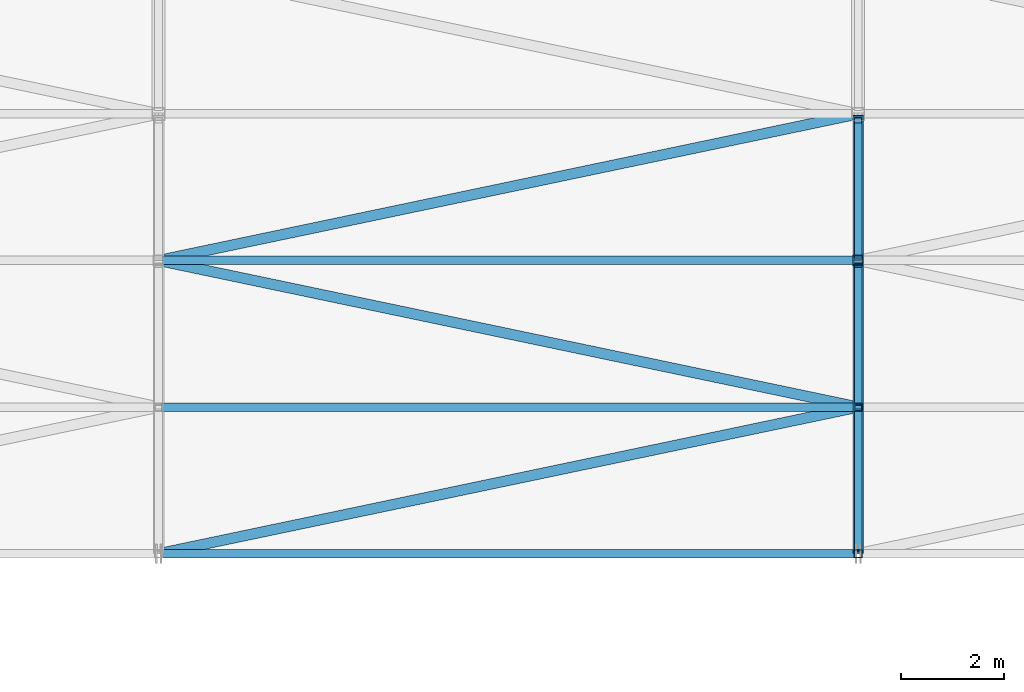
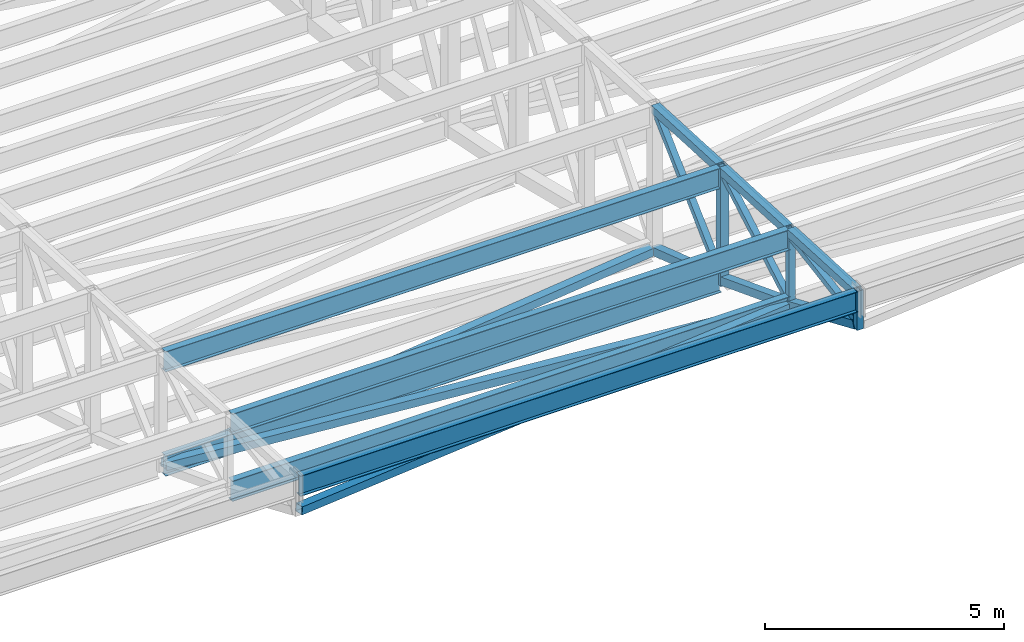
# One storey, part 79 of 278: 11 members, 9 beams.
"""IFC4 building model written with IfcOpenShell, lengths in metres."""

from ifc_helpers import new_model, si_unit, direction, frame, origin, origin_2d, place, context, subcontext, project, spatial, hollow_rectangle, i_section, extrude, material, material_profile, profile_set, type_object, element, save


model = new_model("IFC4")

# Units and contexts
model_context = context("Model", 3, precision=1e-05, world=origin(), true_north=direction((0.0, 1.0)))
body_context = subcontext(model_context, "Body", "Model", "MODEL_VIEW")
ifc_project = project(units=[si_unit("LENGTHUNIT", "METRE"), si_unit("AREAUNIT", "SQUARE_METRE"), si_unit("VOLUMEUNIT", "CUBIC_METRE"), si_unit("PLANEANGLEUNIT", "RADIAN"), si_unit("MASSUNIT", "GRAM", prefix="KILO")], contexts=[model_context])

# Site, building, storey
site_placement = place(None, origin())
site = spatial("IfcSite", under=ifc_project, at=site_placement, CompositionType="ELEMENT")
building_placement = place(site_placement, origin())
building = spatial("IfcBuilding", under=site, at=building_placement, Name="Ogive Plaza Stadium", CompositionType="ELEMENT")
storey_placement = place(building_placement, frame((0.0, 0.0, 29.0)))
storey = spatial("IfcBuildingStorey", under=building, at=storey_placement, Name="Roof", CompositionType="ELEMENT", Elevation=29.0)

# Members
ifc_material_1 = material(Name="Steel ASTM A500 Grade C", Category="steel")
ifc_material_profile_1 = material_profile(ifc_material_1, hollow_rectangle(XDim=0.203125, YDim=0.203125, WallThickness=0.0087890625, at=origin_2d()), Name="HSS8X8X3/8")
ifc_profile_set_1 = profile_set([ifc_material_profile_1], Name="Steel ASTM A500 Grade C")
member_type_1 = type_object("IfcMemberType", Name="Roof plan brace HSS8X8X3/8", PredefinedType="BRACE", material=ifc_profile_set_1)
member_1_placement = place(storey_placement, frame((-6.732421875, 64.01416015625, 6.5205078125), z_axis=(0.974984276103, 0.20432383709, -0.087506748018), x_axis=(-0.205110656584, 0.978738789747, 0.0)))
element("IfcMember", 1, at=member_1_placement, inside=storey, type_object=member_type_1, Name="ROOF BRACE B34 1", PredefinedType="BRACE", context=body_context, shape_type="SweptSolid", body=[
    extrude(hollow_rectangle(XDim=0.203125, YDim=0.203125, WallThickness=0.0087890625, at=origin_2d()), origin(), (0.0, 0.0, 1.0), 13.810302734375),
])
member_2_placement = place(storey_placement, frame((6.732421875, 66.8642578125, 5.30029296875), z_axis=(-0.9757347182, 0.204459743759, -0.078345216074), x_axis=(-0.205090131406, -0.978743090908, 0.0)))
element("IfcMember", 2, at=member_2_placement, inside=storey, type_object=member_type_1, Name="ROOF BRACE B34 2", PredefinedType="BRACE", context=body_context, shape_type="SweptSolid", body=[
    extrude(hollow_rectangle(XDim=0.203125, YDim=0.203125, WallThickness=0.0087890625, at=origin_2d()), origin(), (0.0, 0.0, 1.0), 13.773681640625),
])
member_3_placement = place(storey_placement, frame((-6.70703125, 69.719482421875, 4.207275390625), z_axis=(0.976516142556, 0.204637573992, -0.067377196717), x_axis=(-0.205103656726, 0.978740256655, 0.0)))
element("IfcMember", 3, at=member_3_placement, inside=storey, type_object=member_type_1, Name="ROOF BRACE B34 3", PredefinedType="BRACE", context=body_context, shape_type="SweptSolid", body=[
    extrude(hollow_rectangle(XDim=0.203125, YDim=0.203125, WallThickness=0.0087890625, at=origin_2d()), origin(), (0.0, 0.0, 1.0), 13.736572265625),
])
ifc_material_2 = material(Name="Steel ASTM A992 Grade 50", Category="steel")
ifc_material_profile_2 = material_profile(ifc_material_2, i_section(OverallWidth=0.1650390625, OverallDepth=0.524658203125, WebThickness=0.0087890625, FlangeThickness=0.011474609375, at=origin_2d()), Name="W21X44")
ifc_profile_set_2 = profile_set([ifc_material_profile_2], Name="Steel ASTM A992 Grade 50")
member_type_2 = type_object("IfcMemberType", Name="Roof plan strut W21X44", PredefinedType="STRUT", material=ifc_profile_set_2)
member_4_placement = place(storey_placement, frame((-6.75390625, 66.85009765625, 5.305908203125), z_axis=(1.0, 0.0, 0.0), x_axis=(0.0, 1.0, 0.0)))
element("IfcMember", 4, at=member_4_placement, inside=storey, type_object=member_type_2, Name="ROOF STRUT B34 1", PredefinedType="STRUT", context=body_context, shape_type="SweptSolid", body=[
    extrude(i_section(OverallWidth=0.1650390625, OverallDepth=0.524658203125, WebThickness=0.0087890625, FlangeThickness=0.011474609375, at=origin_2d()), origin(), (0.0, 0.0, 1.0), 13.5078125),
])
member_5_placement = place(storey_placement, frame((-6.728515625, 69.699951171875, 4.213623046875), z_axis=(1.0, 0.0, 0.0), x_axis=(0.0, 1.0, 0.0)))
element("IfcMember", 5, at=member_5_placement, inside=storey, type_object=member_type_2, Name="ROOF STRUT B34 2", PredefinedType="STRUT", context=body_context, shape_type="SweptSolid", body=[
    extrude(i_section(OverallWidth=0.1650390625, OverallDepth=0.524658203125, WebThickness=0.0087890625, FlangeThickness=0.011474609375, at=origin_2d()), origin(), (0.0, 0.0, 1.0), 13.45703125),
])
ifc_material_3 = material(Name="Steel ASTM A992 Grade 50", Category="steel")
ifc_material_profile_3 = material_profile(ifc_material_3, i_section(OverallWidth=0.1650390625, OverallDepth=0.524658203125, WebThickness=0.0087890625, FlangeThickness=0.011474609375, at=origin_2d()), Name="W21X44")
ifc_profile_set_3 = profile_set([ifc_material_profile_3], Name="Steel ASTM A992 Grade 50")
member_type_3 = type_object("IfcMemberType", Name="Roof purlin W21X44", PredefinedType="PURLIN", material=ifc_profile_set_3)
member_6_placement = place(storey_placement, frame((-6.75390625, 66.85009765625, 7.02001953125), z_axis=(1.0, 0.0, 0.0), x_axis=(0.0, 1.0, 0.0)))
element("IfcMember", 6, at=member_6_placement, inside=storey, type_object=member_type_3, Name="ROOF PURLIN B34 1", PredefinedType="PURLIN", context=body_context, shape_type="SweptSolid", body=[
    extrude(i_section(OverallWidth=0.1650390625, OverallDepth=0.524658203125, WebThickness=0.0087890625, FlangeThickness=0.011474609375, at=origin_2d()), origin(), (0.0, 0.0, 1.0), 13.5078125),
])
member_7_placement = place(storey_placement, frame((-6.728515625, 69.699951171875, 6.877685546875), z_axis=(1.0, 0.0, 0.0), x_axis=(0.0, 1.0, 0.0)))
element("IfcMember", 7, at=member_7_placement, inside=storey, type_object=member_type_3, Name="ROOF PURLIN B34 2", PredefinedType="PURLIN", context=body_context, shape_type="SweptSolid", body=[
    extrude(i_section(OverallWidth=0.1650390625, OverallDepth=0.524658203125, WebThickness=0.0087890625, FlangeThickness=0.011474609375, at=origin_2d()), origin(), (0.0, 0.0, 1.0), 13.45703125),
])
ifc_material_4 = material(Name="Steel ASTM A992 Grade 50", Category="steel")
ifc_material_profile_4 = material_profile(ifc_material_4, i_section(OverallWidth=0.1650390625, OverallDepth=0.524658203125, WebThickness=0.0087890625, FlangeThickness=0.011474609375, at=origin_2d()), Name="W21X44")
ifc_profile_set_4 = profile_set([ifc_material_profile_4], Name="Steel ASTM A992 Grade 50")
member_type_4 = type_object("IfcMemberType", Name="Roof tip ring beam W21X44", PredefinedType="MEMBER", material=ifc_profile_set_4)
member_8_placement = place(storey_placement, frame((-6.75390625, 64.0, 7.16259765625), z_axis=(1.0, 0.0, 0.0), x_axis=(0.0, 1.0, 0.0)))
element("IfcMember", 8, at=member_8_placement, inside=storey, type_object=member_type_4, Name="RING BEAM B34", PredefinedType="MEMBER", context=body_context, shape_type="SweptSolid", body=[
    extrude(i_section(OverallWidth=0.1650390625, OverallDepth=0.524658203125, WebThickness=0.0087890625, FlangeThickness=0.011474609375, at=origin_2d()), origin(), (0.0, 0.0, 1.0), 13.5078125),
])

# Beams
ifc_material_5 = material(Name="Steel ASTM A500 Grade C", Category="steel")
ifc_material_profile_5 = material_profile(ifc_material_5, hollow_rectangle(XDim=0.203125, YDim=0.203125, WallThickness=0.01171875, at=origin_2d()), Name="HSS8X8X1/2")
ifc_profile_set_5 = profile_set([ifc_material_profile_5], Name="Steel ASTM A500 Grade C")
beam_type_1 = type_object("IfcBeamType", Name="Roof truss bottom chord HSS8X8X1/2", PredefinedType="BEAM", material=ifc_profile_set_5)
beam_1_placement = place(storey_placement, frame((6.800048828125, 64.0400390625, 6.518310546875), z_axis=(0.0, 0.919215459426, -0.393754922702), x_axis=(-1.0, 0.0, 0.0)))
element("IfcBeam", 9, at=beam_1_placement, inside=storey, type_object=beam_type_1, Name="ROOF TRUSS T35 BOTTOM CHORD 1", PredefinedType="BEAM", context=body_context, shape_type="SweptSolid", body=[
    extrude(hollow_rectangle(XDim=0.203125, YDim=0.203125, WallThickness=0.01171875, at=origin_2d()), origin(), (0.0, 0.0, 1.0), 3.04736328125),
])
beam_2_placement = place(storey_placement, frame((6.800048828125, 66.886474609375, 5.299072265625), z_axis=(0.0, 0.933780874892, -0.357845326484), x_axis=(-1.0, 0.0, 0.0)))
element("IfcBeam", 10, at=beam_2_placement, inside=storey, type_object=beam_type_1, Name="ROOF TRUSS T35 BOTTOM CHORD 2", PredefinedType="BEAM", context=body_context, shape_type="SweptSolid", body=[
    extrude(hollow_rectangle(XDim=0.203125, YDim=0.203125, WallThickness=0.01171875, at=origin_2d()), origin(), (0.0, 0.0, 1.0), 2.97314453125),
])
beam_3_placement = place(storey_placement, frame((6.800048828125, 69.74072265625, 4.20556640625), z_axis=(0.0, 0.947299736415, -0.320348574817), x_axis=(-1.0, 0.0, 0.0)))
element("IfcBeam", 11, at=beam_3_placement, inside=storey, type_object=beam_type_1, Name="ROOF TRUSS T35 BOTTOM CHORD 3", PredefinedType="BEAM", context=body_context, shape_type="SweptSolid", body=[
    extrude(hollow_rectangle(XDim=0.203125, YDim=0.203125, WallThickness=0.01171875, at=origin_2d()), origin(), (0.0, 0.0, 1.0), 2.912841796875),
])

# Members
ifc_material_6 = material(Name="Steel ASTM A500 Grade C", Category="steel")
ifc_material_profile_6 = material_profile(ifc_material_6, hollow_rectangle(XDim=0.15234375, YDim=0.15234375, WallThickness=0.005859375, at=origin_2d()), Name="HSS6X6X1/4")
ifc_profile_set_6 = profile_set([ifc_material_profile_6], Name="Steel ASTM A500 Grade C")
member_type_5 = type_object("IfcMemberType", Name="Roof truss diagonal HSS6X6X1/4", PredefinedType="BRACE", material=ifc_profile_set_6)
member_9_placement = place(storey_placement, frame((6.800048828125, 64.076171875, 6.628173828125), z_axis=(0.0, 0.986299671123, 0.164963507307), x_axis=(-1.0, 0.0, 0.0)))
element("IfcMember", 12, at=member_9_placement, inside=storey, type_object=member_type_5, Name="ROOF TRUSS T35 DIAGONAL 1", PredefinedType="BRACE", context=body_context, shape_type="SweptSolid", body=[
    extrude(hollow_rectangle(XDim=0.15234375, YDim=0.15234375, WallThickness=0.005859375, at=origin_2d()), origin(), (0.0, 0.0, 1.0), 2.73486328125),
])
member_10_placement = place(storey_placement, frame((6.800048828125, 66.92626953125, 5.407470703125), z_axis=(0.0, 0.8679111184, 0.496719529069), x_axis=(-1.0, 0.0, 0.0)))
element("IfcMember", 13, at=member_10_placement, inside=storey, type_object=member_type_5, Name="ROOF TRUSS T35 DIAGONAL 2", PredefinedType="BRACE", context=body_context, shape_type="SweptSolid", body=[
    extrude(hollow_rectangle(XDim=0.15234375, YDim=0.15234375, WallThickness=0.005859375, at=origin_2d()), origin(), (0.0, 0.0, 1.0), 3.078857421875),
])
ifc_material_7 = material(Name="Steel ASTM A500 Grade C", Category="steel")
ifc_material_profile_7 = material_profile(ifc_material_7, hollow_rectangle(XDim=0.15234375, YDim=0.15234375, WallThickness=0.0087890625, at=origin_2d()), Name="HSS6X6X3/8")
ifc_profile_set_7 = profile_set([ifc_material_profile_7], Name="Steel ASTM A500 Grade C")
member_type_6 = type_object("IfcMemberType", Name="Roof truss diagonal HSS6X6X3/8", PredefinedType="BRACE", material=ifc_profile_set_7)
member_11_placement = place(storey_placement, frame((6.800048828125, 69.801513671875, 4.315185546875), z_axis=(0.0, 0.726588919749, 0.687072442832), x_axis=(-1.0, 0.0, 0.0)))
element("IfcMember", 14, at=member_11_placement, inside=storey, type_object=member_type_6, Name="ROOF TRUSS T35 DIAGONAL 3", PredefinedType="BRACE", context=body_context, shape_type="SweptSolid", body=[
    extrude(hollow_rectangle(XDim=0.15234375, YDim=0.15234375, WallThickness=0.0087890625, at=origin_2d()), origin(), (0.0, 0.0, 1.0), 3.608154296875),
])

# Beams
ifc_material_8 = material(Name="Steel ASTM A500 Grade C", Category="steel")
ifc_material_profile_8 = material_profile(ifc_material_8, hollow_rectangle(XDim=0.15234375, YDim=0.15234375, WallThickness=0.0087890625, at=origin_2d()), Name="HSS6X6X3/8")
ifc_profile_set_8 = profile_set([ifc_material_profile_8], Name="Steel ASTM A500 Grade C")
beam_type_2 = type_object("IfcBeamType", Name="Roof truss post HSS6X6X3/8", PredefinedType="BEAM", material=ifc_profile_set_8)
beam_4_placement = place(storey_placement, frame((6.800048828125, 64.0, 6.425048828125), z_axis=(0.0, 0.0, 1.0), x_axis=(-1.0, 0.0, 0.0)))
element("IfcBeam", 15, at=beam_4_placement, inside=storey, type_object=beam_type_2, Name="ROOF TRUSS T35 POST 1", PredefinedType="BEAM", context=body_context, shape_type="SweptSolid", body=[
    extrude(hollow_rectangle(XDim=0.15234375, YDim=0.15234375, WallThickness=0.0087890625, at=origin_2d()), origin(), (0.0, 0.0, 1.0), 1.0),
])
beam_5_placement = place(storey_placement, frame((6.800048828125, 66.85009765625, 5.204345703125), z_axis=(0.0, 0.0, 1.0), x_axis=(-1.0, 0.0, 0.0)))
element("IfcBeam", 16, at=beam_5_placement, inside=storey, type_object=beam_type_2, Name="ROOF TRUSS T35 POST 2", PredefinedType="BEAM", context=body_context, shape_type="SweptSolid", body=[
    extrude(hollow_rectangle(XDim=0.15234375, YDim=0.15234375, WallThickness=0.0087890625, at=origin_2d()), origin(), (0.0, 0.0, 1.0), 2.078125),
])
ifc_material_9 = material(Name="Steel ASTM A500 Grade C", Category="steel")
ifc_material_profile_9 = material_profile(ifc_material_9, hollow_rectangle(XDim=0.203125, YDim=0.203125, WallThickness=0.0087890625, at=origin_2d()), Name="HSS8X8X3/8")
ifc_profile_set_9 = profile_set([ifc_material_profile_9], Name="Steel ASTM A500 Grade C")
beam_type_3 = type_object("IfcBeamType", Name="Roof truss post HSS8X8X3/8", PredefinedType="BEAM", material=ifc_profile_set_9)
beam_6_placement = place(storey_placement, frame((6.800048828125, 69.699951171875, 4.112060546875), z_axis=(0.0, 0.0, 1.0), x_axis=(-1.0, 0.0, 0.0)))
element("IfcBeam", 17, at=beam_6_placement, inside=storey, type_object=beam_type_3, Name="ROOF TRUSS T35 POST 3", PredefinedType="BEAM", context=body_context, shape_type="SweptSolid", body=[
    extrude(hollow_rectangle(XDim=0.203125, YDim=0.203125, WallThickness=0.0087890625, at=origin_2d()), origin(), (0.0, 0.0, 1.0), 3.02783203125),
])
ifc_material_10 = material(Name="Steel ASTM A500 Grade C", Category="steel")
ifc_material_profile_10 = material_profile(ifc_material_10, hollow_rectangle(XDim=0.203125, YDim=0.203125, WallThickness=0.0087890625, at=origin_2d()), Name="HSS8X8X3/8")
ifc_profile_set_10 = profile_set([ifc_material_profile_10], Name="Steel ASTM A500 Grade C")
beam_type_4 = type_object("IfcBeamType", Name="Roof truss top chord HSS8X8X3/8", PredefinedType="BEAM", material=ifc_profile_set_10)
beam_7_placement = place(storey_placement, frame((6.800048828125, 64.041259765625, 7.3212890625), z_axis=(0.0, 0.998751459876, -0.049955193873), x_axis=(-1.0, 0.0, 0.0)))
element("IfcBeam", 18, at=beam_7_placement, inside=storey, type_object=beam_type_4, Name="ROOF TRUSS T35 TOP CHORD 1", PredefinedType="BEAM", context=body_context, shape_type="SweptSolid", body=[
    extrude(hollow_rectangle(XDim=0.203125, YDim=0.203125, WallThickness=0.0087890625, at=origin_2d()), origin(), (0.0, 0.0, 1.0), 2.77099609375),
])
beam_8_placement = place(storey_placement, frame((6.800048828125, 66.89111328125, 7.1787109375), z_axis=(0.0, 0.998752338878, -0.049937616944), x_axis=(-1.0, 0.0, 0.0)))
element("IfcBeam", 19, at=beam_8_placement, inside=storey, type_object=beam_type_4, Name="ROOF TRUSS T35 TOP CHORD 2", PredefinedType="BEAM", context=body_context, shape_type="SweptSolid", body=[
    extrude(hollow_rectangle(XDim=0.203125, YDim=0.203125, WallThickness=0.0087890625, at=origin_2d()), origin(), (0.0, 0.0, 1.0), 2.76220703125),
])
beam_9_placement = place(storey_placement, frame((6.800048828125, 69.75, 7.035888671875), z_axis=(0.0, 0.998748798523, -0.05000837379), x_axis=(-1.0, 0.0, 0.0)))
element("IfcBeam", 20, at=beam_9_placement, inside=storey, type_object=beam_type_4, Name="ROOF TRUSS T35 TOP CHORD 3", PredefinedType="BEAM", context=body_context, shape_type="SweptSolid", body=[
    extrude(hollow_rectangle(XDim=0.203125, YDim=0.203125, WallThickness=0.0087890625, at=origin_2d()), origin(), (0.0, 0.0, 1.0), 2.75341796875),
])

save(model, "model.ifc")
